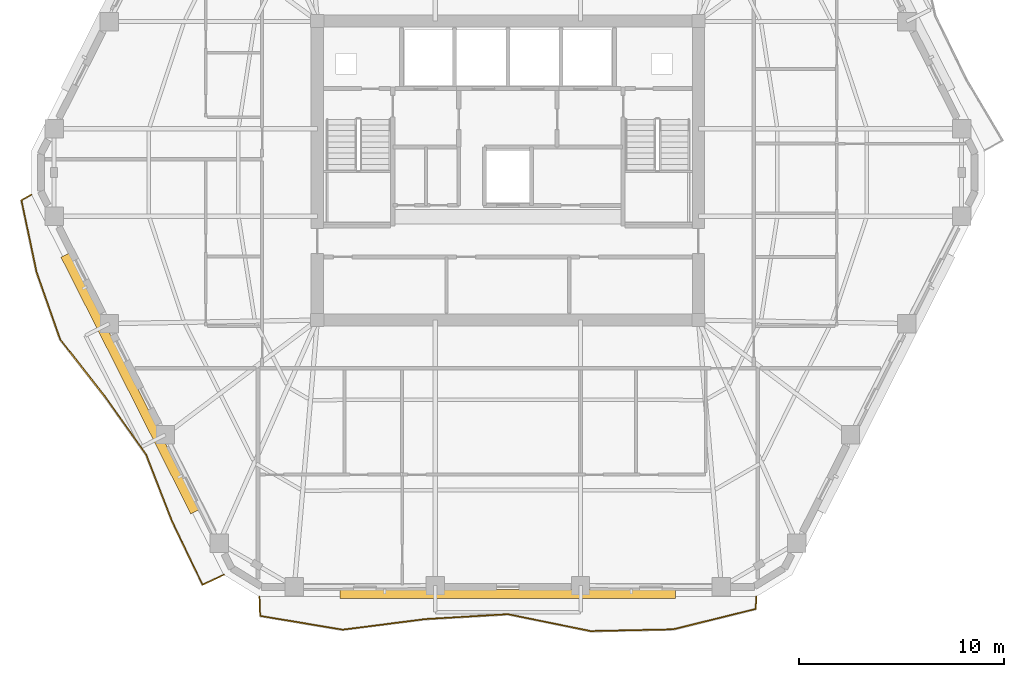
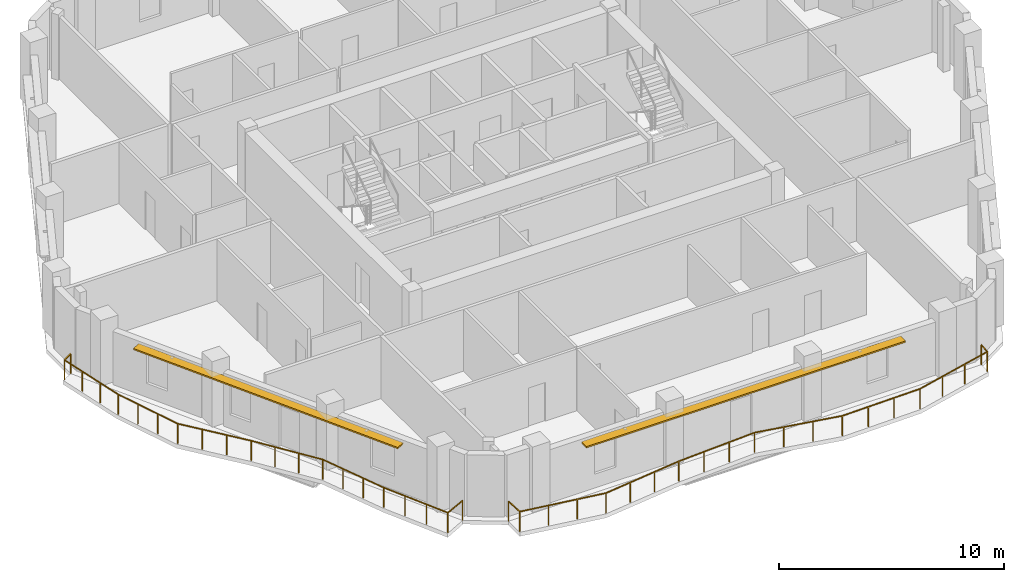
# One storey, part 9 of 11: 2 railings, 2 shading devices.
"""IFC4 building model written with IfcOpenShell, lengths in metres."""

from ifc_helpers import new_model, si_unit, direction, frame, origin, origin_2d, place, context, subcontext, project, spatial, rectangle, extrude, material, layer, layer_set, type_object, element, save


model = new_model("IFC4")

# Units and contexts
model_context = context("Model", 3, precision=1e-05, world=origin(), true_north=direction((0.0, 1.0)))
body_context = subcontext(model_context, "Body", "Model", "MODEL_VIEW")
ifc_project = project(units=[si_unit("LENGTHUNIT", "METRE"), si_unit("AREAUNIT", "SQUARE_METRE"), si_unit("VOLUMEUNIT", "CUBIC_METRE"), si_unit("PLANEANGLEUNIT", "RADIAN"), si_unit("MASSUNIT", "GRAM", prefix="KILO")], contexts=[model_context])

# Site, building, storey
site_placement = place(None, origin())
site = spatial("IfcSite", under=ifc_project, at=site_placement, CompositionType="ELEMENT")
building_placement = place(site_placement, origin())
building = spatial("IfcBuilding", under=site, at=building_placement, Name="Cinnabar Lancet Tower", CompositionType="ELEMENT")
storey_placement = place(building_placement, frame((0.0, 0.0, 196.75)))
storey = spatial("IfcBuildingStorey", under=building, at=storey_placement, Name="L52", CompositionType="ELEMENT", Elevation=196.75)

# Railings
ifc_material_1 = material(Name="Laminated safety glass and bronze stainless steel balustrade", Category="steel")
railing_type = type_object("IfcRailingType", Name="ENV-RLG-BAL-1100", PredefinedType="BALUSTRADE", material=ifc_material_1)
railing_1_placement = place(storey_placement, frame((20.27197265625, 5.10009765625, 0.0)))
element("IfcRailing", 1, at=railing_1_placement, inside=storey, type_object=railing_type, Name="L52 Face 1 Wave Balcony Balustrade", PredefinedType="BALUSTRADE", context=body_context, shape_type="SweptSolid", body=[
    extrude(rectangle(XDim=0.048095703125, YDim=0.048095703125, at=origin_2d()), frame((0.0, 0.0, 1.076171875), z_axis=(0.036108488368, -0.999347875901, 0.0), x_axis=(0.999347875901, 0.036108488368, 0.0)), (0.0, 0.0, 1.0), 0.93994140625),
    extrude(rectangle(XDim=0.048095703125, YDim=0.048095703125, at=origin_2d()), frame((0.033935546875, -0.939208984375, 1.076171875), z_axis=(0.986445518146, -0.164089121299, 0.0), x_axis=(0.164089121299, 0.986445518146, 0.0)), (0.0, 0.0, 1.0), 4.088623046875),
    extrude(rectangle(XDim=0.048095703125, YDim=0.048095703125, at=origin_2d()), frame((4.067138671875, -1.610107421875, 1.076171875), z_axis=(0.991902828824, 0.126999126651, 0.0), x_axis=(-0.126999126651, 0.991902828824, 0.0)), (0.0, 0.0, 1.0), 4.06396484375),
    extrude(rectangle(XDim=0.048095703125, YDim=0.048095703125, at=origin_2d()), frame((8.09814453125, -1.093994140625, 1.076171875), z_axis=(0.998231357728, 0.059448771637, 0.0), x_axis=(-0.059448771637, 0.998231357728, 0.0)), (0.0, 0.0, 1.0), 4.036865234375),
    extrude(rectangle(XDim=0.048095703125, YDim=0.048095703125, at=origin_2d()), frame((12.1279296875, -0.85400390625, 1.076171875), z_axis=(0.979682884071, -0.200552852532, 0.0), x_axis=(0.200552852532, 0.979682884071, 0.0)), (0.0, 0.0, 1.0), 4.114501953125),
    extrude(rectangle(XDim=0.048095703125, YDim=0.048095703125, at=origin_2d()), frame((16.158935546875, -1.67919921875, 1.076171875), z_axis=(0.999776571286, 0.021137821735, 0.0), x_axis=(-0.021137821735, 0.999776571286, 0.0)), (0.0, 0.0, 1.0), 4.031005859375),
    extrude(rectangle(XDim=0.048095703125, YDim=0.048095703125, at=origin_2d()), frame((20.18896484375, -1.593994140625, 1.076171875), z_axis=(0.97077196107, 0.24000374914, 0.0), x_axis=(-0.24000374914, 0.97077196107, 0.0)), (0.0, 0.0, 1.0), 4.1533203125),
    extrude(rectangle(XDim=0.048095703125, YDim=0.048095703125, at=origin_2d()), frame((24.220947265625, -0.59716796875, 1.076171875), z_axis=(0.058769870917, 0.998271557379, 0.0), x_axis=(-0.998271557379, 0.058769870917, 0.0)), (0.0, 0.0, 1.0), 0.59814453125),
    extrude(rectangle(XDim=0.0419921875, YDim=0.0419921875, at=origin_2d()), origin(), (0.0, 0.0, 1.0), 1.052001953125),
    extrude(rectangle(XDim=0.0419921875, YDim=0.0419921875, at=origin_2d()), frame((0.033935546875, -0.939208984375, 0.0)), (0.0, 0.0, 1.0), 1.052001953125),
    extrude(rectangle(XDim=0.0419921875, YDim=0.0419921875, at=origin_2d()), frame((1.37841796875, -1.162841796875, 0.0)), (0.0, 0.0, 1.0), 1.052001953125),
    extrude(rectangle(XDim=0.0419921875, YDim=0.0419921875, at=origin_2d()), frame((2.72265625, -1.386474609375, 0.0)), (0.0, 0.0, 1.0), 1.052001953125),
    extrude(rectangle(XDim=0.0419921875, YDim=0.0419921875, at=origin_2d()), frame((4.067138671875, -1.610107421875, 0.0)), (0.0, 0.0, 1.0), 1.052001953125),
    extrude(rectangle(XDim=0.0419921875, YDim=0.0419921875, at=origin_2d()), frame((5.410888671875, -1.43798828125, 0.0)), (0.0, 0.0, 1.0), 1.052001953125),
    extrude(rectangle(XDim=0.0419921875, YDim=0.0419921875, at=origin_2d()), frame((6.75439453125, -1.26611328125, 0.0)), (0.0, 0.0, 1.0), 1.052001953125),
    extrude(rectangle(XDim=0.0419921875, YDim=0.0419921875, at=origin_2d()), frame((8.09814453125, -1.093994140625, 0.0)), (0.0, 0.0, 1.0), 1.052001953125),
    extrude(rectangle(XDim=0.0419921875, YDim=0.0419921875, at=origin_2d()), frame((9.44140625, -1.013916015625, 0.0)), (0.0, 0.0, 1.0), 1.052001953125),
    extrude(rectangle(XDim=0.0419921875, YDim=0.0419921875, at=origin_2d()), frame((10.78466796875, -0.93408203125, 0.0)), (0.0, 0.0, 1.0), 1.052001953125),
    extrude(rectangle(XDim=0.0419921875, YDim=0.0419921875, at=origin_2d()), frame((12.1279296875, -0.85400390625, 0.0)), (0.0, 0.0, 1.0), 1.052001953125),
    extrude(rectangle(XDim=0.0419921875, YDim=0.0419921875, at=origin_2d()), frame((13.4716796875, -1.129150390625, 0.0)), (0.0, 0.0, 1.0), 1.052001953125),
    extrude(rectangle(XDim=0.0419921875, YDim=0.0419921875, at=origin_2d()), frame((14.815185546875, -1.404052734375, 0.0)), (0.0, 0.0, 1.0), 1.052001953125),
    extrude(rectangle(XDim=0.0419921875, YDim=0.0419921875, at=origin_2d()), frame((16.158935546875, -1.67919921875, 0.0)), (0.0, 0.0, 1.0), 1.052001953125),
    extrude(rectangle(XDim=0.0419921875, YDim=0.0419921875, at=origin_2d()), frame((17.502197265625, -1.65087890625, 0.0)), (0.0, 0.0, 1.0), 1.052001953125),
    extrude(rectangle(XDim=0.0419921875, YDim=0.0419921875, at=origin_2d()), frame((18.845703125, -1.622314453125, 0.0)), (0.0, 0.0, 1.0), 1.052001953125),
    extrude(rectangle(XDim=0.0419921875, YDim=0.0419921875, at=origin_2d()), frame((20.18896484375, -1.593994140625, 0.0)), (0.0, 0.0, 1.0), 1.052001953125),
    extrude(rectangle(XDim=0.0419921875, YDim=0.0419921875, at=origin_2d()), frame((21.532958984375, -1.26171875, 0.0)), (0.0, 0.0, 1.0), 1.052001953125),
    extrude(rectangle(XDim=0.0419921875, YDim=0.0419921875, at=origin_2d()), frame((22.876953125, -0.929443359375, 0.0)), (0.0, 0.0, 1.0), 1.052001953125),
    extrude(rectangle(XDim=0.0419921875, YDim=0.0419921875, at=origin_2d()), frame((24.220947265625, -0.59716796875, 0.0)), (0.0, 0.0, 1.0), 1.052001953125),
    extrude(rectangle(XDim=0.0419921875, YDim=0.0419921875, at=origin_2d()), frame((24.256103515625, 0.0, 0.0)), (0.0, 0.0, 1.0), 1.052001953125),
])
railing_2_placement = place(storey_placement, frame((9.14208984375, 24.72900390625, 0.0)))
element("IfcRailing", 2, at=railing_2_placement, inside=storey, type_object=railing_type, Name="L52 Face 6 Wave Balcony Balustrade", PredefinedType="BALUSTRADE", context=body_context, shape_type="SweptSolid", body=[
    extrude(rectangle(XDim=0.048095703125, YDim=0.048095703125, at=origin_2d()), frame((0.0, 0.0, 1.076171875), z_axis=(-0.868001583081, -0.496561427991, 0.0), x_axis=(0.496561427991, -0.868001583081, 0.0)), (0.0, 0.0, 1.0), 0.56005859375),
    extrude(rectangle(XDim=0.048095703125, YDim=0.048095703125, at=origin_2d()), frame((-0.486083984375, -0.278076171875, 1.076171875), z_axis=(0.205752526362, -0.978604055732, 0.0), x_axis=(0.978604055732, 0.205752526362, 0.0)), (0.0, 0.0, 1.0), 3.57763671875),
    extrude(rectangle(XDim=0.048095703125, YDim=0.048095703125, at=origin_2d()), frame((0.25, -3.779052734375, 1.076171875), z_axis=(0.331336039219, -0.943512813434, 0.0), x_axis=(0.943512813434, 0.331336039219, 0.0)), (0.0, 0.0, 1.0), 3.486083984375),
    extrude(rectangle(XDim=0.048095703125, YDim=0.048095703125, at=origin_2d()), frame((1.405029296875, -7.068115234375, 1.076171875), z_axis=(0.615350713402, -0.788253448781, 0.0), x_axis=(0.788253448781, 0.615350713402, 0.0)), (0.0, 0.0, 1.0), 3.521484375),
    extrude(rectangle(XDim=0.048095703125, YDim=0.048095703125, at=origin_2d()), frame((3.572021484375, -9.843994140625, 1.076171875), z_axis=(0.579789810795, -0.814766086247, 0.0), x_axis=(0.814766086247, 0.579789810795, 0.0)), (0.0, 0.0, 1.0), 3.494140625),
    extrude(rectangle(XDim=0.048095703125, YDim=0.048095703125, at=origin_2d()), frame((5.597900390625, -12.69091796875, 1.076171875), z_axis=(0.362734539173, -0.931892512091, 0.0), x_axis=(0.931892512091, 0.362734539173, 0.0)), (0.0, 0.0, 1.0), 3.4736328125),
    extrude(rectangle(XDim=0.048095703125, YDim=0.048095703125, at=origin_2d()), frame((6.85791015625, -15.927978515625, 1.076171875), z_axis=(0.432244548243, -0.901756425269, 0.0), x_axis=(0.901756425269, 0.432244548243, 0.0)), (0.0, 0.0, 1.0), 3.458984375),
    extrude(rectangle(XDim=0.048095703125, YDim=0.048095703125, at=origin_2d()), frame((8.35302734375, -19.047119140625, 1.076171875), z_axis=(0.904145675016, 0.42722429513, 0.0), x_axis=(-0.42722429513, 0.904145675016, 0.0)), (0.0, 0.0, 1.0), 1.14453125),
    extrude(rectangle(XDim=0.0419921875, YDim=0.0419921875, at=origin_2d()), origin(), (0.0, 0.0, 1.0), 1.052001953125),
    extrude(rectangle(XDim=0.0419921875, YDim=0.0419921875, at=origin_2d()), frame((-0.486083984375, -0.278076171875, 0.0)), (0.0, 0.0, 1.0), 1.052001953125),
    extrude(rectangle(XDim=0.0419921875, YDim=0.0419921875, at=origin_2d()), frame((-0.24072265625, -1.445068359375, 0.0)), (0.0, 0.0, 1.0), 1.052001953125),
    extrude(rectangle(XDim=0.0419921875, YDim=0.0419921875, at=origin_2d()), frame((0.004638671875, -2.612060546875, 0.0)), (0.0, 0.0, 1.0), 1.052001953125),
    extrude(rectangle(XDim=0.0419921875, YDim=0.0419921875, at=origin_2d()), frame((0.25, -3.779052734375, 0.0)), (0.0, 0.0, 1.0), 1.052001953125),
    extrude(rectangle(XDim=0.0419921875, YDim=0.0419921875, at=origin_2d()), frame((0.635009765625, -4.87548828125, 0.0)), (0.0, 0.0, 1.0), 1.052001953125),
    extrude(rectangle(XDim=0.0419921875, YDim=0.0419921875, at=origin_2d()), frame((1.02001953125, -5.9716796875, 0.0)), (0.0, 0.0, 1.0), 1.052001953125),
    extrude(rectangle(XDim=0.0419921875, YDim=0.0419921875, at=origin_2d()), frame((1.405029296875, -7.068115234375, 0.0)), (0.0, 0.0, 1.0), 1.052001953125),
    extrude(rectangle(XDim=0.0419921875, YDim=0.0419921875, at=origin_2d()), frame((2.12744140625, -7.993408203125, 0.0)), (0.0, 0.0, 1.0), 1.052001953125),
    extrude(rectangle(XDim=0.0419921875, YDim=0.0419921875, at=origin_2d()), frame((2.849609375, -8.918701171875, 0.0)), (0.0, 0.0, 1.0), 1.052001953125),
    extrude(rectangle(XDim=0.0419921875, YDim=0.0419921875, at=origin_2d()), frame((3.572021484375, -9.843994140625, 0.0)), (0.0, 0.0, 1.0), 1.052001953125),
    extrude(rectangle(XDim=0.0419921875, YDim=0.0419921875, at=origin_2d()), frame((4.247314453125, -10.79296875, 0.0)), (0.0, 0.0, 1.0), 1.052001953125),
    extrude(rectangle(XDim=0.0419921875, YDim=0.0419921875, at=origin_2d()), frame((4.922607421875, -11.741943359375, 0.0)), (0.0, 0.0, 1.0), 1.052001953125),
    extrude(rectangle(XDim=0.0419921875, YDim=0.0419921875, at=origin_2d()), frame((5.597900390625, -12.69091796875, 0.0)), (0.0, 0.0, 1.0), 1.052001953125),
    extrude(rectangle(XDim=0.0419921875, YDim=0.0419921875, at=origin_2d()), frame((6.017822265625, -13.77001953125, 0.0)), (0.0, 0.0, 1.0), 1.052001953125),
    extrude(rectangle(XDim=0.0419921875, YDim=0.0419921875, at=origin_2d()), frame((6.43798828125, -14.848876953125, 0.0)), (0.0, 0.0, 1.0), 1.052001953125),
    extrude(rectangle(XDim=0.0419921875, YDim=0.0419921875, at=origin_2d()), frame((6.85791015625, -15.927978515625, 0.0)), (0.0, 0.0, 1.0), 1.052001953125),
    extrude(rectangle(XDim=0.0419921875, YDim=0.0419921875, at=origin_2d()), frame((7.356201171875, -16.9677734375, 0.0)), (0.0, 0.0, 1.0), 1.052001953125),
    extrude(rectangle(XDim=0.0419921875, YDim=0.0419921875, at=origin_2d()), frame((7.854736328125, -18.00732421875, 0.0)), (0.0, 0.0, 1.0), 1.052001953125),
    extrude(rectangle(XDim=0.0419921875, YDim=0.0419921875, at=origin_2d()), frame((8.35302734375, -19.047119140625, 0.0)), (0.0, 0.0, 1.0), 1.052001953125),
    extrude(rectangle(XDim=0.0419921875, YDim=0.0419921875, at=origin_2d()), frame((9.387939453125, -18.55810546875, 0.0)), (0.0, 0.0, 1.0), 1.052001953125),
])

# Shading devices
ifc_material_2 = material(Name="Pale limestone architectural aluminium sunshade", Category="masonry")
ifc_layer = layer(ifc_material_2, 0.080078125)
ifc_layer_set = layer_set([ifc_layer], Name="Pale limestone architectural aluminium sunshade")
shading_device_type = type_object("IfcShadingDeviceType", Name="ENV-SHD-LVR-450", PredefinedType="JALOUSIE", material=ifc_layer_set)
shading_device_1_placement = place(storey_placement, frame((32.39990234375, 5.22998046875, 2.639892578125), z_axis=(0.0, 0.0, 1.0), x_axis=(1.0, 0.0, 0.0)))
element("IfcShadingDevice", 3, at=shading_device_1_placement, inside=storey, type_object=shading_device_type, Name="L52 Face 1 Horizontal Sunshade Canopy", PredefinedType="JALOUSIE", context=body_context, shape_type="SweptSolid", body=[
    extrude(rectangle(XDim=16.3720703125, YDim=0.449951171875, at=origin_2d()), origin(), (0.0, 0.0, 1.0), 0.080078125),
])
shading_device_2_placement = place(storey_placement, frame((13.9541015625, 15.506103515625, 2.639892578125), z_axis=(0.0, 0.0, 1.0), x_axis=(0.45140713236, -0.892318105193, 0.0)))
element("IfcShadingDevice", 4, at=shading_device_2_placement, inside=storey, type_object=shading_device_type, Name="L52 Face 6 Horizontal Sunshade Canopy", PredefinedType="JALOUSIE", context=body_context, shape_type="SweptSolid", body=[
    extrude(rectangle(XDim=14.034912109375, YDim=0.449951171875, at=origin_2d()), origin(), (0.0, 0.0, 1.0), 0.080078125),
])

save(model, "model.ifc")
